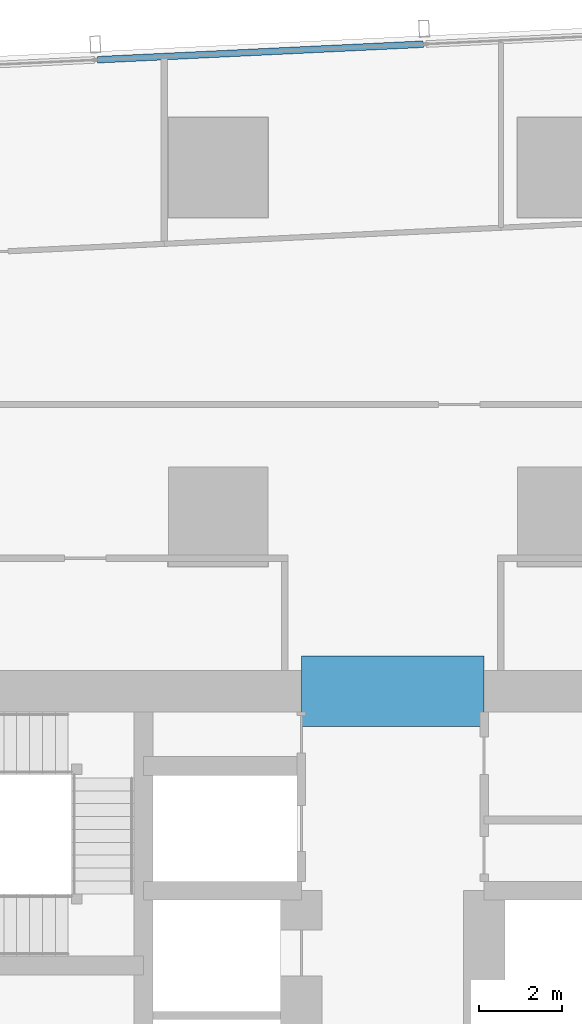
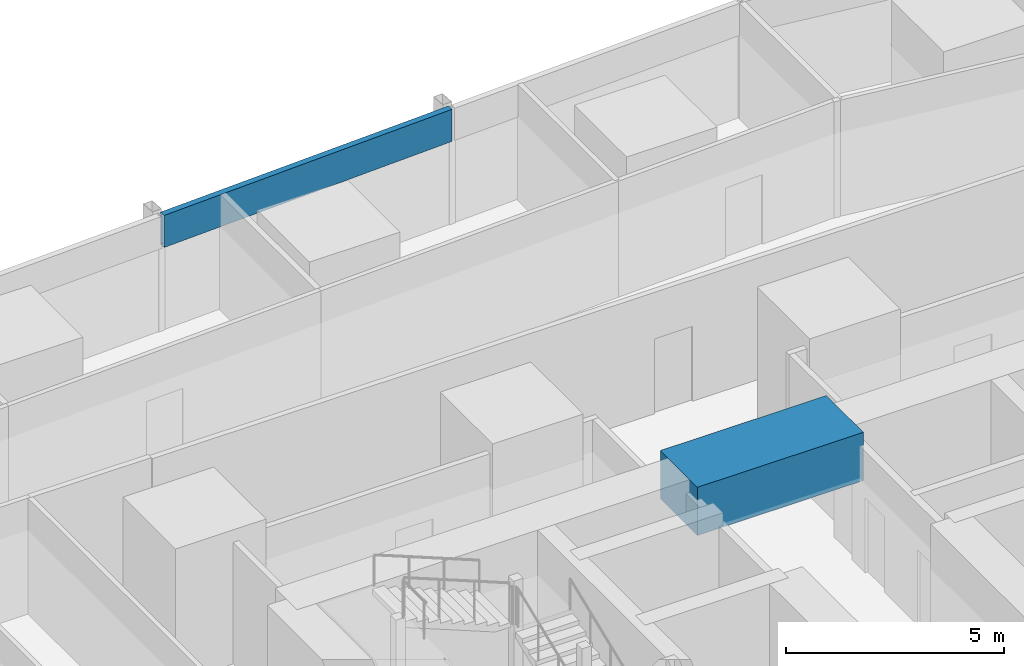
# One storey, part 16 of 34: 1 beam, 1 member, 1 element without a shape of its own.
"""IFC4 building model written with IfcOpenShell, lengths in metres."""

from ifc_helpers import new_model, si_unit, direction, frame, origin, origin_2d, place, context, subcontext, project, spatial, rectangle, hollow_rectangle, extrude, material, material_profile, profile_set, type_object, element, aggregate, save


model = new_model("IFC4")

# Units and contexts
model_context = context("Model", 3, precision=1e-05, world=origin(), true_north=direction((0.0, 1.0)))
body_context = subcontext(model_context, "Body", "Model", "MODEL_VIEW")
ifc_project = project(units=[si_unit("LENGTHUNIT", "METRE"), si_unit("AREAUNIT", "SQUARE_METRE"), si_unit("VOLUMEUNIT", "CUBIC_METRE"), si_unit("PLANEANGLEUNIT", "RADIAN"), si_unit("MASSUNIT", "GRAM", prefix="KILO")], contexts=[model_context])

# Site, building, storey
site_placement = place(None, origin())
site = spatial("IfcSite", under=ifc_project, at=site_placement, CompositionType="ELEMENT")
building_placement = place(site_placement, origin())
building = spatial("IfcBuilding", under=site, at=building_placement, Name="Rekha Terrace Tower", CompositionType="ELEMENT")
storey_placement = place(building_placement, frame((0.0, 0.0, 236.449951171875)))
storey = spatial("IfcBuildingStorey", under=building, at=storey_placement, Name="L60", CompositionType="ELEMENT", Elevation=236.449951171875)

# Curtain wall, member
ifc_material_1 = material(Name="Aluminium framing", Category="aluminium")
curtain_wall_type = type_object("IfcCurtainWallType", Name="CW3 north unitised glazing", PredefinedType="USERDEFINED", material=ifc_material_1)
curtain_wall_placement = place(storey_placement, origin())
curtain_wall = element("IfcCurtainWall", 1, at=curtain_wall_placement, inside=storey, type_object=curtain_wall_type, Name="CW3 unitised curtain wall", ObjectType="UNITISED CURTAIN WALL", PredefinedType="USERDEFINED")
ifc_material_2 = material(Name="Insulated aluminium spandrel box", Category="aluminium")
ifc_material_profile_1 = material_profile(ifc_material_2, hollow_rectangle(XDim=0.159912109375, YDim=0.89990234375, WallThickness=0.0029296875, at=origin_2d()), Name="AL SPANDREL BOX 160x900")
ifc_profile_set_1 = profile_set([ifc_material_profile_1], Name="Insulated aluminium spandrel box")
member_type = type_object("IfcMemberType", Name="CW3 spandrel transom 160 x 900", PredefinedType="USERDEFINED", material=ifc_profile_set_1)
member_placement = place(storey_placement, frame((38.53515625, 61.76953125, 2.949951171875), z_axis=(-0.998859252362, -0.047751376635, 0.0), x_axis=(0.047751376635, -0.998859252362, 0.0)))
member = element("IfcMember", 2, at=member_placement, type_object=member_type, Name="CW3 spandrel transom 2", ObjectType="TRANSOM", PredefinedType="USERDEFINED", context=body_context, shape_type="SweptSolid", body=[
    extrude(hollow_rectangle(XDim=0.159912109375, YDim=0.89990234375, WallThickness=0.0029296875, at=origin_2d()), origin(), (0.0, 0.0, 1.0), 7.84814453125),
])
aggregate(curtain_wall, [member])

# Beam
ifc_material_3 = material(Name="Concrete M60", Category="concrete")
ifc_material_profile_2 = material_profile(ifc_material_3, rectangle(XDim=1.699951171875, YDim=1.35009765625, at=origin_2d()), Name="RC 1700x1350")
ifc_profile_set_2 = profile_set([ifc_material_profile_2], Name="Concrete M60")
beam_type = type_object("IfcBeamType", Name="LB3A 1700x1350 diagonally reinforced coupling beam", PredefinedType="LINTEL", material=ifc_profile_set_2)
beam_placement = place(storey_placement, frame((35.60009765625, 46.199951171875, 3.074951171875), z_axis=(1.0, 0.0, 0.0), x_axis=(0.0, 1.0, 0.0)))
element("IfcBeam", 3, at=beam_placement, inside=storey, type_object=beam_type, Name="Coupling beam LB3A N L60", PredefinedType="LINTEL", context=body_context, shape_type="SweptSolid", body=[
    extrude(rectangle(XDim=1.699951171875, YDim=1.35009765625, at=origin_2d()), origin(), (0.0, 0.0, 1.0), 4.39990234375),
])

save(model, "model.ifc")
